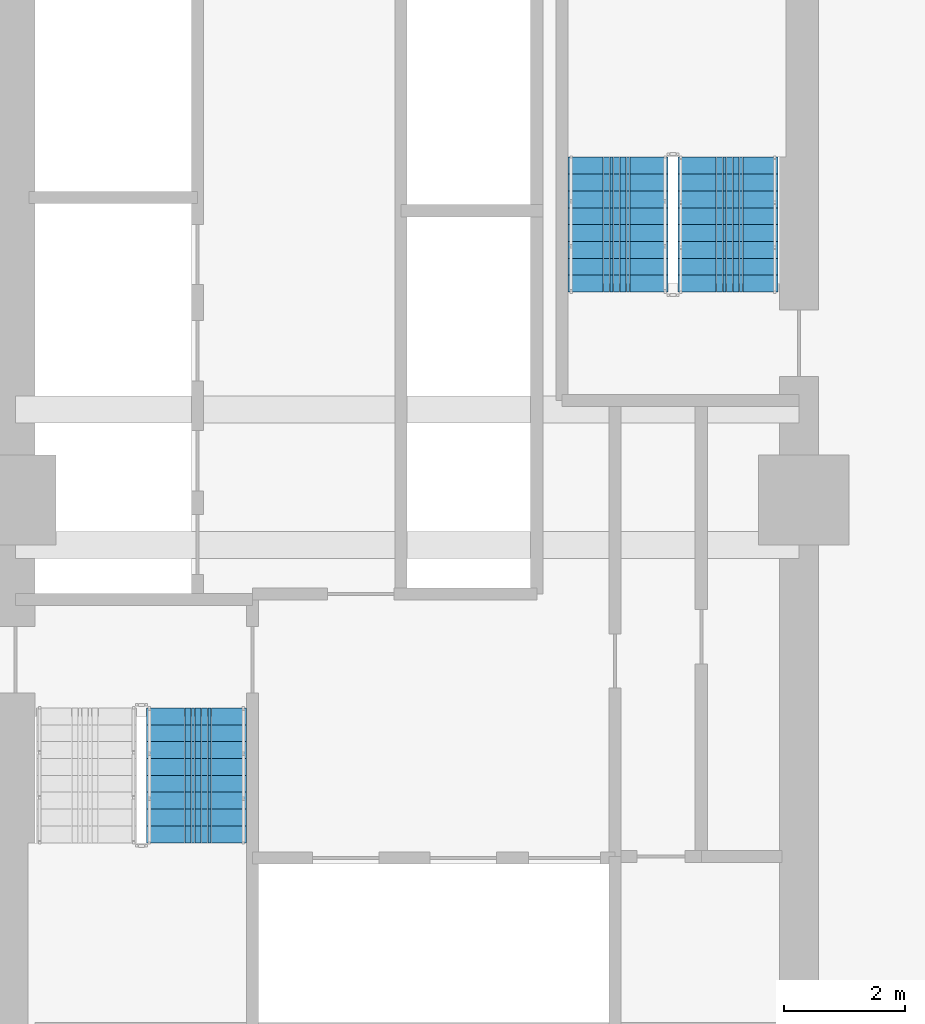
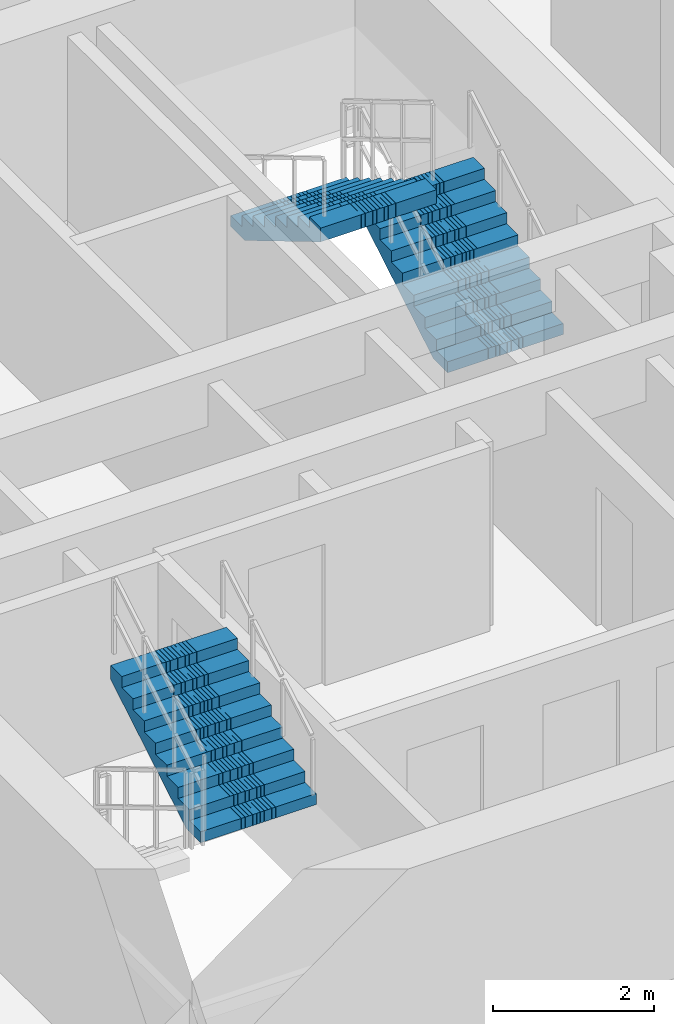
# One storey, part 21 of 27: 3 stair flights, 2 elements without a shape of their own.
"""IFC4 building model written with IfcOpenShell, lengths in metres."""

from ifc_helpers import new_model, si_unit, direction, frame, origin, place, context, subcontext, project, spatial, polyline, outline, extrude, material, type_object, element, aggregate, save


model = new_model("IFC4")

# Units and contexts
model_context = context("Model", 3, precision=1e-05, world=origin(), true_north=direction((0.0, 1.0)))
body_context = subcontext(model_context, "Body", "Model", "MODEL_VIEW")
ifc_project = project(units=[si_unit("LENGTHUNIT", "METRE"), si_unit("AREAUNIT", "SQUARE_METRE"), si_unit("VOLUMEUNIT", "CUBIC_METRE"), si_unit("PLANEANGLEUNIT", "RADIAN"), si_unit("MASSUNIT", "GRAM", prefix="KILO")], contexts=[model_context])

# Site, building, storey
site_placement = place(None, origin())
site = spatial("IfcSite", under=ifc_project, at=site_placement, CompositionType="ELEMENT")
building_placement = place(site_placement, origin())
building = spatial("IfcBuilding", under=site, at=building_placement, Name="Saelheon Loggia Tower", CompositionType="ELEMENT")
storey_placement = place(building_placement, frame((0.0, 0.0, 43.39990234375)))
storey = spatial("IfcBuildingStorey", under=building, at=storey_placement, Name="L13", CompositionType="ELEMENT", Elevation=43.39990234375)

# Stair, stair flight
ifc_material = material(Name="Concrete C40/50", Category="concrete")
stair_type = type_object("IfcStairType", Name="Stair_Escape_Core", PredefinedType="HALF_TURN_STAIR", material=ifc_material)
stair_1_placement = place(storey_placement, origin())
stair_1 = element("IfcStair", 1, at=stair_1_placement, inside=storey, type_object=stair_type, Name="L13 Special Escape Stair ST1", PredefinedType="HALF_TURN_STAIR")
stair_flight_type = type_object("IfcStairFlightType", Name="StairFlight_Tower_1660", PredefinedType="STRAIGHT", material=ifc_material)
stair_flight_1_placement = place(storey_placement, frame((34.5, 21.31005859375, 1.5), z_axis=(0.0, 0.0, 1.0), x_axis=(0.0, 1.0, 0.0)))
stair_flight_1 = element("IfcStairFlight", 2, at=stair_flight_1_placement, type_object=stair_flight_type, Name="ST1 flight 2", NumberOfRisers=9, NumberOfTreads=8, PredefinedType="STRAIGHT", RiserHeight=0.166666667, TreadLength=0.28, context=body_context, shape_type="SweptSolid", body=[
    extrude(outline(polyline([(0.0, 0.0), (0.0, 0.166748046875), (0.280029296875, 0.166748046875), (0.280029296875, 0.333251953125), (0.56005859375, 0.333251953125), (0.56005859375, 0.5), (0.840087890625, 0.5), (0.840087890625, 0.666748046875), (1.1201171875, 0.666748046875), (1.1201171875, 0.833251953125), (1.39990234375, 0.833251953125), (1.39990234375, 1.0), (1.679931640625, 1.0), (1.679931640625, 1.166748046875), (1.9599609375, 1.166748046875), (1.9599609375, 1.333251953125), (2.239990234375, 1.333251953125), (2.239990234375, 1.5), (2.239990234375, 1.1240234375), (0.351806640625, 0.0), (0.0, 0.0)])), frame((0.0, -0.2490234375, 0.0), z_axis=(0.0, -1.0, 0.0), x_axis=(1.0, 0.0, 0.0)), (0.0, 0.0, 1.0), 0.5810546875),
    extrude(outline(polyline([(0.0, 0.0), (0.0, 0.166748046875), (0.280029296875, 0.166748046875), (0.280029296875, 0.333251953125), (0.56005859375, 0.333251953125), (0.56005859375, 0.5), (0.840087890625, 0.5), (0.840087890625, 0.666748046875), (1.1201171875, 0.666748046875), (1.1201171875, 0.833251953125), (1.39990234375, 0.833251953125), (1.39990234375, 1.0), (1.679931640625, 1.0), (1.679931640625, 1.166748046875), (1.9599609375, 1.166748046875), (1.9599609375, 1.333251953125), (2.239990234375, 1.333251953125), (2.239990234375, 1.5), (2.239990234375, 1.1240234375), (0.351806640625, 0.0), (0.0, 0.0)])), frame((0.0, -0.194091796875, 0.0), z_axis=(0.0, -1.0, 0.0), x_axis=(1.0, 0.0, 0.0)), (0.0, 0.0, 1.0), 0.0498046875),
    extrude(outline(polyline([(0.0, 0.0), (0.0, 0.166748046875), (0.280029296875, 0.166748046875), (0.280029296875, 0.333251953125), (0.56005859375, 0.333251953125), (0.56005859375, 0.5), (0.840087890625, 0.5), (0.840087890625, 0.666748046875), (1.1201171875, 0.666748046875), (1.1201171875, 0.833251953125), (1.39990234375, 0.833251953125), (1.39990234375, 1.0), (1.679931640625, 1.0), (1.679931640625, 1.166748046875), (1.9599609375, 1.166748046875), (1.9599609375, 1.333251953125), (2.239990234375, 1.333251953125), (2.239990234375, 1.5), (2.239990234375, 1.1240234375), (0.351806640625, 0.0), (0.0, 0.0)])), frame((0.0, -0.139404296875, 0.0), z_axis=(0.0, -1.0, 0.0), x_axis=(1.0, 0.0, 0.0)), (0.0, 0.0, 1.0), 0.0498046875),
    extrude(outline(polyline([(0.0, 0.0), (0.0, 0.166748046875), (0.280029296875, 0.166748046875), (0.280029296875, 0.333251953125), (0.56005859375, 0.333251953125), (0.56005859375, 0.5), (0.840087890625, 0.5), (0.840087890625, 0.666748046875), (1.1201171875, 0.666748046875), (1.1201171875, 0.833251953125), (1.39990234375, 0.833251953125), (1.39990234375, 1.0), (1.679931640625, 1.0), (1.679931640625, 1.166748046875), (1.9599609375, 1.166748046875), (1.9599609375, 1.333251953125), (2.239990234375, 1.333251953125), (2.239990234375, 1.5), (2.239990234375, 1.1240234375), (0.351806640625, 0.0), (0.0, 0.0)])), frame((0.0, -0.084716796875, 0.0), z_axis=(0.0, -1.0, 0.0), x_axis=(1.0, 0.0, 0.0)), (0.0, 0.0, 1.0), 0.0498046875),
    extrude(outline(polyline([(0.0, 0.0), (0.0, 0.166748046875), (0.280029296875, 0.166748046875), (0.280029296875, 0.333251953125), (0.56005859375, 0.333251953125), (0.56005859375, 0.5), (0.840087890625, 0.5), (0.840087890625, 0.666748046875), (1.1201171875, 0.666748046875), (1.1201171875, 0.833251953125), (1.39990234375, 0.833251953125), (1.39990234375, 1.0), (1.679931640625, 1.0), (1.679931640625, 1.166748046875), (1.9599609375, 1.166748046875), (1.9599609375, 1.333251953125), (2.239990234375, 1.333251953125), (2.239990234375, 1.5), (2.239990234375, 1.1240234375), (0.351806640625, 0.0), (0.0, 0.0)])), frame((0.0, -0.02978515625, 0.0), z_axis=(0.0, -1.0, 0.0), x_axis=(1.0, 0.0, 0.0)), (0.0, 0.0, 1.0), 0.0498046875),
    extrude(outline(polyline([(0.0, 0.0), (0.0, 0.166748046875), (0.280029296875, 0.166748046875), (0.280029296875, 0.333251953125), (0.56005859375, 0.333251953125), (0.56005859375, 0.5), (0.840087890625, 0.5), (0.840087890625, 0.666748046875), (1.1201171875, 0.666748046875), (1.1201171875, 0.833251953125), (1.39990234375, 0.833251953125), (1.39990234375, 1.0), (1.679931640625, 1.0), (1.679931640625, 1.166748046875), (1.9599609375, 1.166748046875), (1.9599609375, 1.333251953125), (2.239990234375, 1.333251953125), (2.239990234375, 1.5), (2.239990234375, 1.1240234375), (0.351806640625, 0.0), (0.0, 0.0)])), frame((0.0, 0.02490234375, 0.0), z_axis=(0.0, -1.0, 0.0), x_axis=(1.0, 0.0, 0.0)), (0.0, 0.0, 1.0), 0.0498046875),
    extrude(outline(polyline([(0.0, 0.0), (0.0, 0.166748046875), (0.280029296875, 0.166748046875), (0.280029296875, 0.333251953125), (0.56005859375, 0.333251953125), (0.56005859375, 0.5), (0.840087890625, 0.5), (0.840087890625, 0.666748046875), (1.1201171875, 0.666748046875), (1.1201171875, 0.833251953125), (1.39990234375, 0.833251953125), (1.39990234375, 1.0), (1.679931640625, 1.0), (1.679931640625, 1.166748046875), (1.9599609375, 1.166748046875), (1.9599609375, 1.333251953125), (2.239990234375, 1.333251953125), (2.239990234375, 1.5), (2.239990234375, 1.1240234375), (0.351806640625, 0.0), (0.0, 0.0)])), frame((0.0, 0.07958984375, 0.0), z_axis=(0.0, -1.0, 0.0), x_axis=(1.0, 0.0, 0.0)), (0.0, 0.0, 1.0), 0.0498046875),
    extrude(outline(polyline([(0.0, 0.0), (0.0, 0.166748046875), (0.280029296875, 0.166748046875), (0.280029296875, 0.333251953125), (0.56005859375, 0.333251953125), (0.56005859375, 0.5), (0.840087890625, 0.5), (0.840087890625, 0.666748046875), (1.1201171875, 0.666748046875), (1.1201171875, 0.833251953125), (1.39990234375, 0.833251953125), (1.39990234375, 1.0), (1.679931640625, 1.0), (1.679931640625, 1.166748046875), (1.9599609375, 1.166748046875), (1.9599609375, 1.333251953125), (2.239990234375, 1.333251953125), (2.239990234375, 1.5), (2.239990234375, 1.1240234375), (0.351806640625, 0.0), (0.0, 0.0)])), frame((0.0, 0.134521484375, 0.0), z_axis=(0.0, -1.0, 0.0), x_axis=(1.0, 0.0, 0.0)), (0.0, 0.0, 1.0), 0.0498046875),
    extrude(outline(polyline([(0.0, 0.0), (0.0, 0.166748046875), (0.280029296875, 0.166748046875), (0.280029296875, 0.333251953125), (0.56005859375, 0.333251953125), (0.56005859375, 0.5), (0.840087890625, 0.5), (0.840087890625, 0.666748046875), (1.1201171875, 0.666748046875), (1.1201171875, 0.833251953125), (1.39990234375, 0.833251953125), (1.39990234375, 1.0), (1.679931640625, 1.0), (1.679931640625, 1.166748046875), (1.9599609375, 1.166748046875), (1.9599609375, 1.333251953125), (2.239990234375, 1.333251953125), (2.239990234375, 1.5), (2.239990234375, 1.1240234375), (0.351806640625, 0.0), (0.0, 0.0)])), frame((0.0, 0.189208984375, 0.0), z_axis=(0.0, -1.0, 0.0), x_axis=(1.0, 0.0, 0.0)), (0.0, 0.0, 1.0), 0.0498046875),
    extrude(outline(polyline([(0.0, 0.0), (0.0, 0.166748046875), (0.280029296875, 0.166748046875), (0.280029296875, 0.333251953125), (0.56005859375, 0.333251953125), (0.56005859375, 0.5), (0.840087890625, 0.5), (0.840087890625, 0.666748046875), (1.1201171875, 0.666748046875), (1.1201171875, 0.833251953125), (1.39990234375, 0.833251953125), (1.39990234375, 1.0), (1.679931640625, 1.0), (1.679931640625, 1.166748046875), (1.9599609375, 1.166748046875), (1.9599609375, 1.333251953125), (2.239990234375, 1.333251953125), (2.239990234375, 1.5), (2.239990234375, 1.1240234375), (0.351806640625, 0.0), (0.0, 0.0)])), frame((0.0, 0.243896484375, 0.0), z_axis=(0.0, -1.0, 0.0), x_axis=(1.0, 0.0, 0.0)), (0.0, 0.0, 1.0), 0.0498046875),
    extrude(outline(polyline([(0.0, 0.0), (0.0, 0.166748046875), (0.280029296875, 0.166748046875), (0.280029296875, 0.333251953125), (0.56005859375, 0.333251953125), (0.56005859375, 0.5), (0.840087890625, 0.5), (0.840087890625, 0.666748046875), (1.1201171875, 0.666748046875), (1.1201171875, 0.833251953125), (1.39990234375, 0.833251953125), (1.39990234375, 1.0), (1.679931640625, 1.0), (1.679931640625, 1.166748046875), (1.9599609375, 1.166748046875), (1.9599609375, 1.333251953125), (2.239990234375, 1.333251953125), (2.239990234375, 1.5), (2.239990234375, 1.1240234375), (0.351806640625, 0.0), (0.0, 0.0)])), frame((0.0, 0.830078125, 0.0), z_axis=(0.0, -1.0, 0.0), x_axis=(1.0, 0.0, 0.0)), (0.0, 0.0, 1.0), 0.5810546875),
])
aggregate(stair_1, [stair_flight_1])

# Stair, stair flights
stair_2_placement = place(storey_placement, origin())
stair_2 = element("IfcStair", 3, at=stair_2_placement, inside=storey, type_object=stair_type, Name="L13 Special Escape Stair ST2", PredefinedType="HALF_TURN_STAIR")
stair_flight_2_placement = place(storey_placement, frame((43.320068359375, 30.449951171875, 0.0), z_axis=(0.0, 0.0, 1.0), x_axis=(0.0, 1.0, 0.0)))
stair_flight_2 = element("IfcStairFlight", 4, at=stair_flight_2_placement, type_object=stair_flight_type, Name="ST2 flight 1", NumberOfRisers=9, NumberOfTreads=8, PredefinedType="STRAIGHT", RiserHeight=0.166666667, TreadLength=0.28, context=body_context, shape_type="SweptSolid", body=[
    extrude(outline(polyline([(0.0, 0.0), (0.0, 0.166748046875), (0.280029296875, 0.166748046875), (0.280029296875, 0.333251953125), (0.56005859375, 0.333251953125), (0.56005859375, 0.5), (0.840087890625, 0.5), (0.840087890625, 0.666748046875), (1.1201171875, 0.666748046875), (1.1201171875, 0.833251953125), (1.39990234375, 0.833251953125), (1.39990234375, 1.0), (1.679931640625, 1.0), (1.679931640625, 1.166748046875), (1.9599609375, 1.166748046875), (1.9599609375, 1.333251953125), (2.239990234375, 1.333251953125), (2.239990234375, 1.5), (2.239990234375, 1.1240234375), (0.351806640625, 0.0), (0.0, 0.0)])), frame((0.0, -0.2490234375, 0.0), z_axis=(0.0, -1.0, 0.0), x_axis=(1.0, 0.0, 0.0)), (0.0, 0.0, 1.0), 0.5810546875),
    extrude(outline(polyline([(0.0, 0.0), (0.0, 0.166748046875), (0.280029296875, 0.166748046875), (0.280029296875, 0.333251953125), (0.56005859375, 0.333251953125), (0.56005859375, 0.5), (0.840087890625, 0.5), (0.840087890625, 0.666748046875), (1.1201171875, 0.666748046875), (1.1201171875, 0.833251953125), (1.39990234375, 0.833251953125), (1.39990234375, 1.0), (1.679931640625, 1.0), (1.679931640625, 1.166748046875), (1.9599609375, 1.166748046875), (1.9599609375, 1.333251953125), (2.239990234375, 1.333251953125), (2.239990234375, 1.5), (2.239990234375, 1.1240234375), (0.351806640625, 0.0), (0.0, 0.0)])), frame((0.0, -0.194091796875, 0.0), z_axis=(0.0, -1.0, 0.0), x_axis=(1.0, 0.0, 0.0)), (0.0, 0.0, 1.0), 0.0498046875),
    extrude(outline(polyline([(0.0, 0.0), (0.0, 0.166748046875), (0.280029296875, 0.166748046875), (0.280029296875, 0.333251953125), (0.56005859375, 0.333251953125), (0.56005859375, 0.5), (0.840087890625, 0.5), (0.840087890625, 0.666748046875), (1.1201171875, 0.666748046875), (1.1201171875, 0.833251953125), (1.39990234375, 0.833251953125), (1.39990234375, 1.0), (1.679931640625, 1.0), (1.679931640625, 1.166748046875), (1.9599609375, 1.166748046875), (1.9599609375, 1.333251953125), (2.239990234375, 1.333251953125), (2.239990234375, 1.5), (2.239990234375, 1.1240234375), (0.351806640625, 0.0), (0.0, 0.0)])), frame((0.0, -0.139404296875, 0.0), z_axis=(0.0, -1.0, 0.0), x_axis=(1.0, 0.0, 0.0)), (0.0, 0.0, 1.0), 0.0498046875),
    extrude(outline(polyline([(0.0, 0.0), (0.0, 0.166748046875), (0.280029296875, 0.166748046875), (0.280029296875, 0.333251953125), (0.56005859375, 0.333251953125), (0.56005859375, 0.5), (0.840087890625, 0.5), (0.840087890625, 0.666748046875), (1.1201171875, 0.666748046875), (1.1201171875, 0.833251953125), (1.39990234375, 0.833251953125), (1.39990234375, 1.0), (1.679931640625, 1.0), (1.679931640625, 1.166748046875), (1.9599609375, 1.166748046875), (1.9599609375, 1.333251953125), (2.239990234375, 1.333251953125), (2.239990234375, 1.5), (2.239990234375, 1.1240234375), (0.351806640625, 0.0), (0.0, 0.0)])), frame((0.0, -0.084716796875, 0.0), z_axis=(0.0, -1.0, 0.0), x_axis=(1.0, 0.0, 0.0)), (0.0, 0.0, 1.0), 0.0498046875),
    extrude(outline(polyline([(0.0, 0.0), (0.0, 0.166748046875), (0.280029296875, 0.166748046875), (0.280029296875, 0.333251953125), (0.56005859375, 0.333251953125), (0.56005859375, 0.5), (0.840087890625, 0.5), (0.840087890625, 0.666748046875), (1.1201171875, 0.666748046875), (1.1201171875, 0.833251953125), (1.39990234375, 0.833251953125), (1.39990234375, 1.0), (1.679931640625, 1.0), (1.679931640625, 1.166748046875), (1.9599609375, 1.166748046875), (1.9599609375, 1.333251953125), (2.239990234375, 1.333251953125), (2.239990234375, 1.5), (2.239990234375, 1.1240234375), (0.351806640625, 0.0), (0.0, 0.0)])), frame((0.0, -0.02978515625, 0.0), z_axis=(0.0, -1.0, 0.0), x_axis=(1.0, 0.0, 0.0)), (0.0, 0.0, 1.0), 0.0498046875),
    extrude(outline(polyline([(0.0, 0.0), (0.0, 0.166748046875), (0.280029296875, 0.166748046875), (0.280029296875, 0.333251953125), (0.56005859375, 0.333251953125), (0.56005859375, 0.5), (0.840087890625, 0.5), (0.840087890625, 0.666748046875), (1.1201171875, 0.666748046875), (1.1201171875, 0.833251953125), (1.39990234375, 0.833251953125), (1.39990234375, 1.0), (1.679931640625, 1.0), (1.679931640625, 1.166748046875), (1.9599609375, 1.166748046875), (1.9599609375, 1.333251953125), (2.239990234375, 1.333251953125), (2.239990234375, 1.5), (2.239990234375, 1.1240234375), (0.351806640625, 0.0), (0.0, 0.0)])), frame((0.0, 0.02490234375, 0.0), z_axis=(0.0, -1.0, 0.0), x_axis=(1.0, 0.0, 0.0)), (0.0, 0.0, 1.0), 0.0498046875),
    extrude(outline(polyline([(0.0, 0.0), (0.0, 0.166748046875), (0.280029296875, 0.166748046875), (0.280029296875, 0.333251953125), (0.56005859375, 0.333251953125), (0.56005859375, 0.5), (0.840087890625, 0.5), (0.840087890625, 0.666748046875), (1.1201171875, 0.666748046875), (1.1201171875, 0.833251953125), (1.39990234375, 0.833251953125), (1.39990234375, 1.0), (1.679931640625, 1.0), (1.679931640625, 1.166748046875), (1.9599609375, 1.166748046875), (1.9599609375, 1.333251953125), (2.239990234375, 1.333251953125), (2.239990234375, 1.5), (2.239990234375, 1.1240234375), (0.351806640625, 0.0), (0.0, 0.0)])), frame((0.0, 0.07958984375, 0.0), z_axis=(0.0, -1.0, 0.0), x_axis=(1.0, 0.0, 0.0)), (0.0, 0.0, 1.0), 0.0498046875),
    extrude(outline(polyline([(0.0, 0.0), (0.0, 0.166748046875), (0.280029296875, 0.166748046875), (0.280029296875, 0.333251953125), (0.56005859375, 0.333251953125), (0.56005859375, 0.5), (0.840087890625, 0.5), (0.840087890625, 0.666748046875), (1.1201171875, 0.666748046875), (1.1201171875, 0.833251953125), (1.39990234375, 0.833251953125), (1.39990234375, 1.0), (1.679931640625, 1.0), (1.679931640625, 1.166748046875), (1.9599609375, 1.166748046875), (1.9599609375, 1.333251953125), (2.239990234375, 1.333251953125), (2.239990234375, 1.5), (2.239990234375, 1.1240234375), (0.351806640625, 0.0), (0.0, 0.0)])), frame((0.0, 0.134521484375, 0.0), z_axis=(0.0, -1.0, 0.0), x_axis=(1.0, 0.0, 0.0)), (0.0, 0.0, 1.0), 0.0498046875),
    extrude(outline(polyline([(0.0, 0.0), (0.0, 0.166748046875), (0.280029296875, 0.166748046875), (0.280029296875, 0.333251953125), (0.56005859375, 0.333251953125), (0.56005859375, 0.5), (0.840087890625, 0.5), (0.840087890625, 0.666748046875), (1.1201171875, 0.666748046875), (1.1201171875, 0.833251953125), (1.39990234375, 0.833251953125), (1.39990234375, 1.0), (1.679931640625, 1.0), (1.679931640625, 1.166748046875), (1.9599609375, 1.166748046875), (1.9599609375, 1.333251953125), (2.239990234375, 1.333251953125), (2.239990234375, 1.5), (2.239990234375, 1.1240234375), (0.351806640625, 0.0), (0.0, 0.0)])), frame((0.0, 0.189208984375, 0.0), z_axis=(0.0, -1.0, 0.0), x_axis=(1.0, 0.0, 0.0)), (0.0, 0.0, 1.0), 0.0498046875),
    extrude(outline(polyline([(0.0, 0.0), (0.0, 0.166748046875), (0.280029296875, 0.166748046875), (0.280029296875, 0.333251953125), (0.56005859375, 0.333251953125), (0.56005859375, 0.5), (0.840087890625, 0.5), (0.840087890625, 0.666748046875), (1.1201171875, 0.666748046875), (1.1201171875, 0.833251953125), (1.39990234375, 0.833251953125), (1.39990234375, 1.0), (1.679931640625, 1.0), (1.679931640625, 1.166748046875), (1.9599609375, 1.166748046875), (1.9599609375, 1.333251953125), (2.239990234375, 1.333251953125), (2.239990234375, 1.5), (2.239990234375, 1.1240234375), (0.351806640625, 0.0), (0.0, 0.0)])), frame((0.0, 0.243896484375, 0.0), z_axis=(0.0, -1.0, 0.0), x_axis=(1.0, 0.0, 0.0)), (0.0, 0.0, 1.0), 0.0498046875),
    extrude(outline(polyline([(0.0, 0.0), (0.0, 0.166748046875), (0.280029296875, 0.166748046875), (0.280029296875, 0.333251953125), (0.56005859375, 0.333251953125), (0.56005859375, 0.5), (0.840087890625, 0.5), (0.840087890625, 0.666748046875), (1.1201171875, 0.666748046875), (1.1201171875, 0.833251953125), (1.39990234375, 0.833251953125), (1.39990234375, 1.0), (1.679931640625, 1.0), (1.679931640625, 1.166748046875), (1.9599609375, 1.166748046875), (1.9599609375, 1.333251953125), (2.239990234375, 1.333251953125), (2.239990234375, 1.5), (2.239990234375, 1.1240234375), (0.351806640625, 0.0), (0.0, 0.0)])), frame((0.0, 0.830078125, 0.0), z_axis=(0.0, -1.0, 0.0), x_axis=(1.0, 0.0, 0.0)), (0.0, 0.0, 1.0), 0.5810546875),
])
stair_flight_3_placement = place(storey_placement, frame((41.5, 32.68994140625, 1.5), z_axis=(0.0, 0.0, 1.0), x_axis=(0.0, -1.0, 0.0)))
stair_flight_3 = element("IfcStairFlight", 5, at=stair_flight_3_placement, type_object=stair_flight_type, Name="ST2 flight 2", NumberOfRisers=9, NumberOfTreads=8, PredefinedType="STRAIGHT", RiserHeight=0.166666667, TreadLength=0.28, context=body_context, shape_type="SweptSolid", body=[
    extrude(outline(polyline([(0.0, 0.0), (0.0, 0.166748046875), (0.280029296875, 0.166748046875), (0.280029296875, 0.333251953125), (0.56005859375, 0.333251953125), (0.56005859375, 0.5), (0.840087890625, 0.5), (0.840087890625, 0.666748046875), (1.1201171875, 0.666748046875), (1.1201171875, 0.833251953125), (1.39990234375, 0.833251953125), (1.39990234375, 1.0), (1.679931640625, 1.0), (1.679931640625, 1.166748046875), (1.9599609375, 1.166748046875), (1.9599609375, 1.333251953125), (2.239990234375, 1.333251953125), (2.239990234375, 1.5), (2.239990234375, 1.1240234375), (0.351806640625, 0.0), (0.0, 0.0)])), frame((0.0, -0.2490234375, 0.0), z_axis=(0.0, -1.0, 0.0), x_axis=(1.0, 0.0, 0.0)), (0.0, 0.0, 1.0), 0.5810546875),
    extrude(outline(polyline([(0.0, 0.0), (0.0, 0.166748046875), (0.280029296875, 0.166748046875), (0.280029296875, 0.333251953125), (0.56005859375, 0.333251953125), (0.56005859375, 0.5), (0.840087890625, 0.5), (0.840087890625, 0.666748046875), (1.1201171875, 0.666748046875), (1.1201171875, 0.833251953125), (1.39990234375, 0.833251953125), (1.39990234375, 1.0), (1.679931640625, 1.0), (1.679931640625, 1.166748046875), (1.9599609375, 1.166748046875), (1.9599609375, 1.333251953125), (2.239990234375, 1.333251953125), (2.239990234375, 1.5), (2.239990234375, 1.1240234375), (0.351806640625, 0.0), (0.0, 0.0)])), frame((0.0, -0.194091796875, 0.0), z_axis=(0.0, -1.0, 0.0), x_axis=(1.0, 0.0, 0.0)), (0.0, 0.0, 1.0), 0.0498046875),
    extrude(outline(polyline([(0.0, 0.0), (0.0, 0.166748046875), (0.280029296875, 0.166748046875), (0.280029296875, 0.333251953125), (0.56005859375, 0.333251953125), (0.56005859375, 0.5), (0.840087890625, 0.5), (0.840087890625, 0.666748046875), (1.1201171875, 0.666748046875), (1.1201171875, 0.833251953125), (1.39990234375, 0.833251953125), (1.39990234375, 1.0), (1.679931640625, 1.0), (1.679931640625, 1.166748046875), (1.9599609375, 1.166748046875), (1.9599609375, 1.333251953125), (2.239990234375, 1.333251953125), (2.239990234375, 1.5), (2.239990234375, 1.1240234375), (0.351806640625, 0.0), (0.0, 0.0)])), frame((0.0, -0.139404296875, 0.0), z_axis=(0.0, -1.0, 0.0), x_axis=(1.0, 0.0, 0.0)), (0.0, 0.0, 1.0), 0.0498046875),
    extrude(outline(polyline([(0.0, 0.0), (0.0, 0.166748046875), (0.280029296875, 0.166748046875), (0.280029296875, 0.333251953125), (0.56005859375, 0.333251953125), (0.56005859375, 0.5), (0.840087890625, 0.5), (0.840087890625, 0.666748046875), (1.1201171875, 0.666748046875), (1.1201171875, 0.833251953125), (1.39990234375, 0.833251953125), (1.39990234375, 1.0), (1.679931640625, 1.0), (1.679931640625, 1.166748046875), (1.9599609375, 1.166748046875), (1.9599609375, 1.333251953125), (2.239990234375, 1.333251953125), (2.239990234375, 1.5), (2.239990234375, 1.1240234375), (0.351806640625, 0.0), (0.0, 0.0)])), frame((0.0, -0.084716796875, 0.0), z_axis=(0.0, -1.0, 0.0), x_axis=(1.0, 0.0, 0.0)), (0.0, 0.0, 1.0), 0.0498046875),
    extrude(outline(polyline([(0.0, 0.0), (0.0, 0.166748046875), (0.280029296875, 0.166748046875), (0.280029296875, 0.333251953125), (0.56005859375, 0.333251953125), (0.56005859375, 0.5), (0.840087890625, 0.5), (0.840087890625, 0.666748046875), (1.1201171875, 0.666748046875), (1.1201171875, 0.833251953125), (1.39990234375, 0.833251953125), (1.39990234375, 1.0), (1.679931640625, 1.0), (1.679931640625, 1.166748046875), (1.9599609375, 1.166748046875), (1.9599609375, 1.333251953125), (2.239990234375, 1.333251953125), (2.239990234375, 1.5), (2.239990234375, 1.1240234375), (0.351806640625, 0.0), (0.0, 0.0)])), frame((0.0, -0.02978515625, 0.0), z_axis=(0.0, -1.0, 0.0), x_axis=(1.0, 0.0, 0.0)), (0.0, 0.0, 1.0), 0.0498046875),
    extrude(outline(polyline([(0.0, 0.0), (0.0, 0.166748046875), (0.280029296875, 0.166748046875), (0.280029296875, 0.333251953125), (0.56005859375, 0.333251953125), (0.56005859375, 0.5), (0.840087890625, 0.5), (0.840087890625, 0.666748046875), (1.1201171875, 0.666748046875), (1.1201171875, 0.833251953125), (1.39990234375, 0.833251953125), (1.39990234375, 1.0), (1.679931640625, 1.0), (1.679931640625, 1.166748046875), (1.9599609375, 1.166748046875), (1.9599609375, 1.333251953125), (2.239990234375, 1.333251953125), (2.239990234375, 1.5), (2.239990234375, 1.1240234375), (0.351806640625, 0.0), (0.0, 0.0)])), frame((0.0, 0.02490234375, 0.0), z_axis=(0.0, -1.0, 0.0), x_axis=(1.0, 0.0, 0.0)), (0.0, 0.0, 1.0), 0.0498046875),
    extrude(outline(polyline([(0.0, 0.0), (0.0, 0.166748046875), (0.280029296875, 0.166748046875), (0.280029296875, 0.333251953125), (0.56005859375, 0.333251953125), (0.56005859375, 0.5), (0.840087890625, 0.5), (0.840087890625, 0.666748046875), (1.1201171875, 0.666748046875), (1.1201171875, 0.833251953125), (1.39990234375, 0.833251953125), (1.39990234375, 1.0), (1.679931640625, 1.0), (1.679931640625, 1.166748046875), (1.9599609375, 1.166748046875), (1.9599609375, 1.333251953125), (2.239990234375, 1.333251953125), (2.239990234375, 1.5), (2.239990234375, 1.1240234375), (0.351806640625, 0.0), (0.0, 0.0)])), frame((0.0, 0.07958984375, 0.0), z_axis=(0.0, -1.0, 0.0), x_axis=(1.0, 0.0, 0.0)), (0.0, 0.0, 1.0), 0.0498046875),
    extrude(outline(polyline([(0.0, 0.0), (0.0, 0.166748046875), (0.280029296875, 0.166748046875), (0.280029296875, 0.333251953125), (0.56005859375, 0.333251953125), (0.56005859375, 0.5), (0.840087890625, 0.5), (0.840087890625, 0.666748046875), (1.1201171875, 0.666748046875), (1.1201171875, 0.833251953125), (1.39990234375, 0.833251953125), (1.39990234375, 1.0), (1.679931640625, 1.0), (1.679931640625, 1.166748046875), (1.9599609375, 1.166748046875), (1.9599609375, 1.333251953125), (2.239990234375, 1.333251953125), (2.239990234375, 1.5), (2.239990234375, 1.1240234375), (0.351806640625, 0.0), (0.0, 0.0)])), frame((0.0, 0.134521484375, 0.0), z_axis=(0.0, -1.0, 0.0), x_axis=(1.0, 0.0, 0.0)), (0.0, 0.0, 1.0), 0.0498046875),
    extrude(outline(polyline([(0.0, 0.0), (0.0, 0.166748046875), (0.280029296875, 0.166748046875), (0.280029296875, 0.333251953125), (0.56005859375, 0.333251953125), (0.56005859375, 0.5), (0.840087890625, 0.5), (0.840087890625, 0.666748046875), (1.1201171875, 0.666748046875), (1.1201171875, 0.833251953125), (1.39990234375, 0.833251953125), (1.39990234375, 1.0), (1.679931640625, 1.0), (1.679931640625, 1.166748046875), (1.9599609375, 1.166748046875), (1.9599609375, 1.333251953125), (2.239990234375, 1.333251953125), (2.239990234375, 1.5), (2.239990234375, 1.1240234375), (0.351806640625, 0.0), (0.0, 0.0)])), frame((0.0, 0.189208984375, 0.0), z_axis=(0.0, -1.0, 0.0), x_axis=(1.0, 0.0, 0.0)), (0.0, 0.0, 1.0), 0.0498046875),
    extrude(outline(polyline([(0.0, 0.0), (0.0, 0.166748046875), (0.280029296875, 0.166748046875), (0.280029296875, 0.333251953125), (0.56005859375, 0.333251953125), (0.56005859375, 0.5), (0.840087890625, 0.5), (0.840087890625, 0.666748046875), (1.1201171875, 0.666748046875), (1.1201171875, 0.833251953125), (1.39990234375, 0.833251953125), (1.39990234375, 1.0), (1.679931640625, 1.0), (1.679931640625, 1.166748046875), (1.9599609375, 1.166748046875), (1.9599609375, 1.333251953125), (2.239990234375, 1.333251953125), (2.239990234375, 1.5), (2.239990234375, 1.1240234375), (0.351806640625, 0.0), (0.0, 0.0)])), frame((0.0, 0.243896484375, 0.0), z_axis=(0.0, -1.0, 0.0), x_axis=(1.0, 0.0, 0.0)), (0.0, 0.0, 1.0), 0.0498046875),
    extrude(outline(polyline([(0.0, 0.0), (0.0, 0.166748046875), (0.280029296875, 0.166748046875), (0.280029296875, 0.333251953125), (0.56005859375, 0.333251953125), (0.56005859375, 0.5), (0.840087890625, 0.5), (0.840087890625, 0.666748046875), (1.1201171875, 0.666748046875), (1.1201171875, 0.833251953125), (1.39990234375, 0.833251953125), (1.39990234375, 1.0), (1.679931640625, 1.0), (1.679931640625, 1.166748046875), (1.9599609375, 1.166748046875), (1.9599609375, 1.333251953125), (2.239990234375, 1.333251953125), (2.239990234375, 1.5), (2.239990234375, 1.1240234375), (0.351806640625, 0.0), (0.0, 0.0)])), frame((0.0, 0.830078125, 0.0), z_axis=(0.0, -1.0, 0.0), x_axis=(1.0, 0.0, 0.0)), (0.0, 0.0, 1.0), 0.5810546875),
])
aggregate(stair_2, [stair_flight_2, stair_flight_3])

save(model, "model.ifc")
